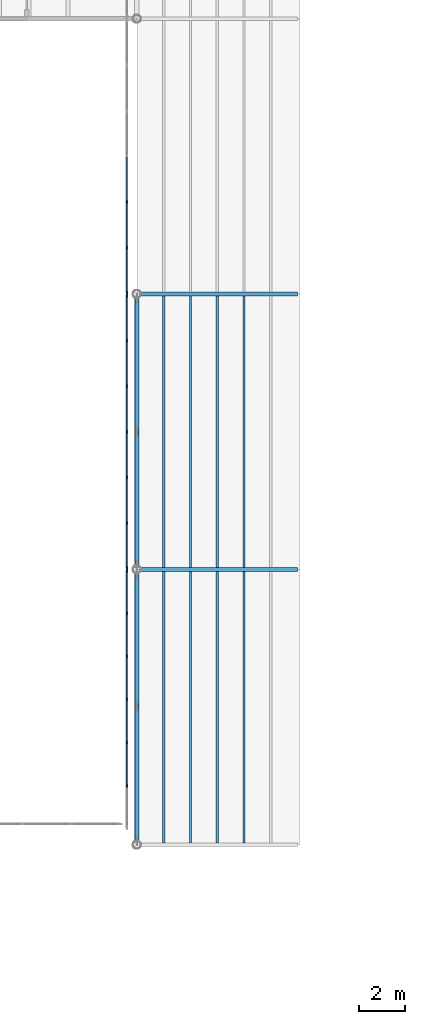
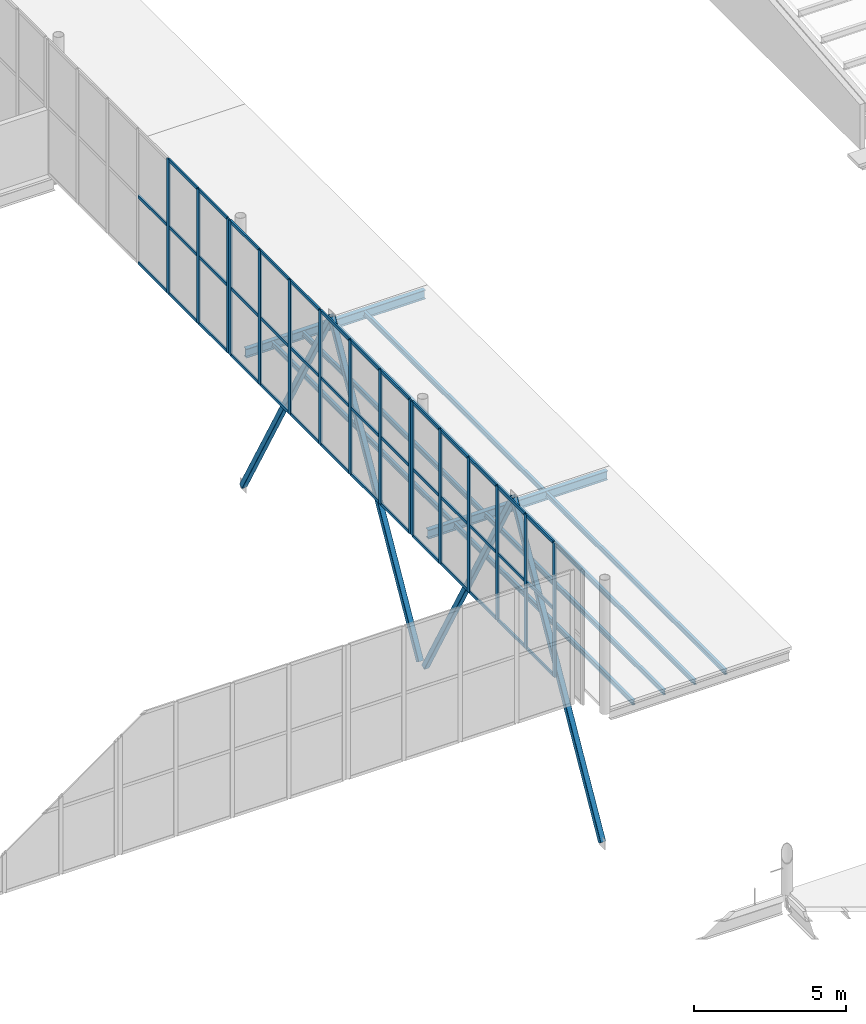
# One storey, part 79 of 170: 69 members, 2 beams, 3 elements without a shape of their own.
"""IFC4 building model written with IfcOpenShell, lengths in metres."""

from ifc_helpers import new_model, si_unit, direction, frame, origin, origin_2d, place, context, subcontext, project, spatial, rectangle, hollow_rectangle, i_section, extrude, material, layer, layer_set, material_profile, profile_set, type_object, element, aggregate, save


model = new_model("IFC4")

# Units and contexts
model_context = context("Model", 3, precision=1e-05, world=origin(), true_north=direction((0.0, 1.0)))
body_context = subcontext(model_context, "Body", "Model", "MODEL_VIEW")
ifc_project = project(units=[si_unit("LENGTHUNIT", "METRE"), si_unit("AREAUNIT", "SQUARE_METRE"), si_unit("VOLUMEUNIT", "CUBIC_METRE"), si_unit("PLANEANGLEUNIT", "RADIAN"), si_unit("MASSUNIT", "GRAM", prefix="KILO")], contexts=[model_context])

# Site, building, storey
site_placement = place(None, origin())
site = spatial("IfcSite", under=ifc_project, at=site_placement, CompositionType="ELEMENT")
building_placement = place(site_placement, origin())
building = spatial("IfcBuilding", under=site, at=building_placement, Name="Ravi Spectrum Wholesale Market", CompositionType="ELEMENT")
storey_placement = place(building_placement, frame((0.0, 0.0, 5.39990234375)))
storey = spatial("IfcBuildingStorey", under=building, at=storey_placement, Name="L01", CompositionType="ELEMENT", Elevation=5.39990234375)

# Members
ifc_material_1 = material(Name="Steel S355", Category="steel")
ifc_material_profile_1 = material_profile(ifc_material_1, i_section(OverallWidth=0.10009765625, OverallDepth=0.199951171875, WebThickness=0.005615234375, FlangeThickness=0.008544921875, at=origin_2d()))
ifc_profile_set_1 = profile_set([ifc_material_profile_1], Name="Steel S355")
member_type_1 = type_object("IfcMemberType", Name="IPE 200 purlin", PredefinedType="PURLIN", material=ifc_profile_set_1)
for number, where, z_axis, x_axis, name in (
    (1, (199.166748046875, 138.0849609375, -0.099853515625), (0.0, 1.0, 0.0), (-1.0, 0.0, 0.0), "H3-MB-L01-009"),
    (2, (200.333251953125, 138.0849609375, -0.099853515625), (0.0, 1.0, 0.0), (-1.0, 0.0, 0.0), "H3-MB-L01-010"),
    (3, (201.5, 138.0849609375, -0.099853515625), (0.0, 1.0, 0.0), (-1.0, 0.0, 0.0), "H3-MB-L01-011"),
    (4, (202.666748046875, 138.0849609375, -0.099853515625), (0.0, 1.0, 0.0), (-1.0, 0.0, 0.0), "H3-MB-L01-012"),
    (5, (199.166748046875, 150.0849609375, -0.099853515625), (0.0, 1.0, 0.0), (-1.0, 0.0, 0.0), "H3-MB-L01-014"),
    (6, (200.333251953125, 150.0849609375, -0.099853515625), (0.0, 1.0, 0.0), (-1.0, 0.0, 0.0), "H3-MB-L01-015"),
    (7, (201.5, 150.0849609375, -0.099853515625), (0.0, 1.0, 0.0), (-1.0, 0.0, 0.0), "H3-MB-L01-016"),
    (8, (202.666748046875, 150.0849609375, -0.099853515625), (0.0, 1.0, 0.0), (-1.0, 0.0, 0.0), "H3-MB-L01-017"),
):
    element("IfcMember", number, at=place(storey_placement, frame(where, z_axis=z_axis, x_axis=x_axis)), inside=storey, type_object=member_type_1, Name=name, PredefinedType="PURLIN", context=body_context, shape_type="SweptSolid", body=[
        extrude(i_section(OverallWidth=0.10009765625, OverallDepth=0.199951171875, WebThickness=0.005615234375, FlangeThickness=0.008544921875, at=origin_2d()), origin(), (0.0, 0.0, 1.0), 11.830078125),
    ])

# Beams
ifc_material_2 = material(Name="Steel S355", Category="steel")
ifc_material_profile_2 = material_profile(ifc_material_2, i_section(OverallWidth=0.169921875, OverallDepth=0.360107421875, WebThickness=0.008056640625, FlangeThickness=0.0126953125, at=origin_2d()))
ifc_profile_set_2 = profile_set([ifc_material_profile_2], Name="Steel S355")
beam_type = type_object("IfcBeamType", Name="IPE 360 beam", PredefinedType="BEAM", material=ifc_profile_set_2)
for number, where, z_axis, x_axis, name in (
    (9, (198.177734375, 150.0, -0.179931640625), (1.0, 0.0, 0.0), (0.0, 1.0, 0.0), "H3-BM-L01-031"),
    (10, (198.177734375, 162.0, -0.179931640625), (1.0, 0.0, 0.0), (0.0, 1.0, 0.0), "H3-BM-L01-032"),
):
    element("IfcBeam", number, at=place(storey_placement, frame(where, z_axis=z_axis, x_axis=x_axis)), inside=storey, type_object=beam_type, Name=name, PredefinedType="BEAM", context=body_context, shape_type="SweptSolid", body=[
        extrude(i_section(OverallWidth=0.169921875, OverallDepth=0.360107421875, WebThickness=0.008056640625, FlangeThickness=0.0126953125, at=origin_2d()), origin(), (0.0, 0.0, 1.0), 6.822265625),
    ])

# Curtain wall, members
ifc_material_3 = material(Name="Aluminium 6063-T6", Category="aluminium")
ifc_layer = layer(ifc_material_3, 0.14990234375)
ifc_layer_set = layer_set([ifc_layer], Name="Aluminium 6063-T6")
curtain_wall_type = type_object("IfcCurtainWallType", Name="Curtain wall 150", PredefinedType="NOTDEFINED", material=ifc_layer_set)
curtain_wall_1_placement = place(storey_placement, origin())
curtain_wall_1 = element("IfcCurtainWall", 11, at=curtain_wall_1_placement, inside=storey, type_object=curtain_wall_type, Name="H3-CW-L01-005", PredefinedType="NOTDEFINED")
ifc_material_4 = material(Name="Aluminium 6063-T6", Category="aluminium")
ifc_material_profile_3 = material_profile(ifc_material_4, rectangle(XDim=0.06005859375, YDim=0.159912109375, at=origin_2d()))
ifc_profile_set_3 = profile_set([ifc_material_profile_3], Name="Aluminium 6063-T6")
member_type_2 = type_object("IfcMemberType", Name="Mullion 60 x 160", PredefinedType="MULLION", material=ifc_profile_set_3)
member_1_placement = place(storey_placement, frame((197.572265625, 140.5849609375, 0.0), z_axis=(0.0, 0.0, 1.0), x_axis=(-1.0, 0.0, 0.0)))
member_1 = element("IfcMember", 12, at=member_1_placement, type_object=member_type_2, Name="H3-CW-L01-005 mullion 2", PredefinedType="MULLION", context=body_context, shape_type="SweptSolid", body=[
    extrude(rectangle(XDim=0.06005859375, YDim=0.159912109375, at=origin_2d()), origin(), (0.0, 0.0, 1.0), 5.400146484375),
])
member_2_placement = place(storey_placement, frame((197.572265625, 142.4599609375, 0.0), z_axis=(0.0, 0.0, 1.0), x_axis=(-1.0, 0.0, 0.0)))
member_2 = element("IfcMember", 13, at=member_2_placement, type_object=member_type_2, Name="H3-CW-L01-005 mullion 3", PredefinedType="MULLION", context=body_context, shape_type="SweptSolid", body=[
    extrude(rectangle(XDim=0.06005859375, YDim=0.159912109375, at=origin_2d()), origin(), (0.0, 0.0, 1.0), 5.400146484375),
])
member_3_placement = place(storey_placement, frame((197.572265625, 144.3349609375, 0.0), z_axis=(0.0, 0.0, 1.0), x_axis=(-1.0, 0.0, 0.0)))
member_3 = element("IfcMember", 14, at=member_3_placement, type_object=member_type_2, Name="H3-CW-L01-005 mullion 4", PredefinedType="MULLION", context=body_context, shape_type="SweptSolid", body=[
    extrude(rectangle(XDim=0.06005859375, YDim=0.159912109375, at=origin_2d()), origin(), (0.0, 0.0, 1.0), 5.400146484375),
])
member_4_placement = place(storey_placement, frame((197.572265625, 146.2099609375, 0.0), z_axis=(0.0, 0.0, 1.0), x_axis=(-1.0, 0.0, 0.0)))
member_4 = element("IfcMember", 15, at=member_4_placement, type_object=member_type_2, Name="H3-CW-L01-005 mullion 5", PredefinedType="MULLION", context=body_context, shape_type="SweptSolid", body=[
    extrude(rectangle(XDim=0.06005859375, YDim=0.159912109375, at=origin_2d()), origin(), (0.0, 0.0, 1.0), 5.400146484375),
])
member_5_placement = place(storey_placement, frame((197.572265625, 148.0849609375, 0.0), z_axis=(0.0, 0.0, 1.0), x_axis=(-1.0, 0.0, 0.0)))
member_5 = element("IfcMember", 16, at=member_5_placement, type_object=member_type_2, Name="H3-CW-L01-005 mullion 6", PredefinedType="MULLION", context=body_context, shape_type="SweptSolid", body=[
    extrude(rectangle(XDim=0.06005859375, YDim=0.159912109375, at=origin_2d()), origin(), (0.0, 0.0, 1.0), 5.400146484375),
])
member_6_placement = place(storey_placement, frame((197.572265625, 149.929931640625, 0.0), z_axis=(0.0, 0.0, 1.0), x_axis=(-1.0, 0.0, 0.0)))
member_6 = element("IfcMember", 17, at=member_6_placement, type_object=member_type_2, Name="H3-CW-L01-005 mullion 7", PredefinedType="MULLION", context=body_context, shape_type="SweptSolid", body=[
    extrude(rectangle(XDim=0.06005859375, YDim=0.159912109375, at=origin_2d()), origin(), (0.0, 0.0, 1.0), 5.400146484375),
])

curtain_wall_2_placement = place(storey_placement, origin())
curtain_wall_2 = element("IfcCurtainWall", 18, at=curtain_wall_2_placement, inside=storey, type_object=curtain_wall_type, Name="H3-CW-L01-006", PredefinedType="NOTDEFINED")
member_7_placement = place(storey_placement, frame((197.572265625, 150.070068359375, 0.0), z_axis=(0.0, 0.0, 1.0), x_axis=(-1.0, 0.0, 0.0)))
member_7 = element("IfcMember", 19, at=member_7_placement, type_object=member_type_2, Name="H3-CW-L01-006 mullion 1", PredefinedType="MULLION", context=body_context, shape_type="SweptSolid", body=[
    extrude(rectangle(XDim=0.06005859375, YDim=0.159912109375, at=origin_2d()), origin(), (0.0, 0.0, 1.0), 5.400146484375),
])
member_8_placement = place(storey_placement, frame((197.572265625, 152.026611328125, 0.0), z_axis=(0.0, 0.0, 1.0), x_axis=(-1.0, 0.0, 0.0)))
member_8 = element("IfcMember", 20, at=member_8_placement, type_object=member_type_2, Name="H3-CW-L01-006 mullion 2", PredefinedType="MULLION", context=body_context, shape_type="SweptSolid", body=[
    extrude(rectangle(XDim=0.06005859375, YDim=0.159912109375, at=origin_2d()), origin(), (0.0, 0.0, 1.0), 5.400146484375),
])
member_9_placement = place(storey_placement, frame((197.572265625, 154.013427734375, 0.0), z_axis=(0.0, 0.0, 1.0), x_axis=(-1.0, 0.0, 0.0)))
member_9 = element("IfcMember", 21, at=member_9_placement, type_object=member_type_2, Name="H3-CW-L01-006 mullion 3", PredefinedType="MULLION", context=body_context, shape_type="SweptSolid", body=[
    extrude(rectangle(XDim=0.06005859375, YDim=0.159912109375, at=origin_2d()), origin(), (0.0, 0.0, 1.0), 5.400146484375),
])
member_10_placement = place(storey_placement, frame((197.572265625, 156.0, 0.0), z_axis=(0.0, 0.0, 1.0), x_axis=(-1.0, 0.0, 0.0)))
member_10 = element("IfcMember", 22, at=member_10_placement, type_object=member_type_2, Name="H3-CW-L01-006 mullion 4", PredefinedType="MULLION", context=body_context, shape_type="SweptSolid", body=[
    extrude(rectangle(XDim=0.06005859375, YDim=0.159912109375, at=origin_2d()), origin(), (0.0, 0.0, 1.0), 5.400146484375),
])
member_11_placement = place(storey_placement, frame((197.572265625, 157.986572265625, 0.0), z_axis=(0.0, 0.0, 1.0), x_axis=(-1.0, 0.0, 0.0)))
member_11 = element("IfcMember", 23, at=member_11_placement, type_object=member_type_2, Name="H3-CW-L01-006 mullion 5", PredefinedType="MULLION", context=body_context, shape_type="SweptSolid", body=[
    extrude(rectangle(XDim=0.06005859375, YDim=0.159912109375, at=origin_2d()), origin(), (0.0, 0.0, 1.0), 5.400146484375),
])
member_12_placement = place(storey_placement, frame((197.572265625, 159.973388671875, 0.0), z_axis=(0.0, 0.0, 1.0), x_axis=(-1.0, 0.0, 0.0)))
member_12 = element("IfcMember", 24, at=member_12_placement, type_object=member_type_2, Name="H3-CW-L01-006 mullion 6", PredefinedType="MULLION", context=body_context, shape_type="SweptSolid", body=[
    extrude(rectangle(XDim=0.06005859375, YDim=0.159912109375, at=origin_2d()), origin(), (0.0, 0.0, 1.0), 5.400146484375),
])
member_13_placement = place(storey_placement, frame((197.572265625, 161.929931640625, 0.0), z_axis=(0.0, 0.0, 1.0), x_axis=(-1.0, 0.0, 0.0)))
member_13 = element("IfcMember", 25, at=member_13_placement, type_object=member_type_2, Name="H3-CW-L01-006 mullion 7", PredefinedType="MULLION", context=body_context, shape_type="SweptSolid", body=[
    extrude(rectangle(XDim=0.06005859375, YDim=0.159912109375, at=origin_2d()), origin(), (0.0, 0.0, 1.0), 5.400146484375),
])

curtain_wall_3_placement = place(storey_placement, origin())
curtain_wall_3 = element("IfcCurtainWall", 26, at=curtain_wall_3_placement, inside=storey, type_object=curtain_wall_type, Name="H3-CW-L01-007", PredefinedType="NOTDEFINED")
member_14_placement = place(storey_placement, frame((197.572265625, 162.070068359375, 0.0), z_axis=(0.0, 0.0, 1.0), x_axis=(-1.0, 0.0, 0.0)))
member_14 = element("IfcMember", 27, at=member_14_placement, type_object=member_type_2, Name="H3-CW-L01-007 mullion 1", PredefinedType="MULLION", context=body_context, shape_type="SweptSolid", body=[
    extrude(rectangle(XDim=0.06005859375, YDim=0.159912109375, at=origin_2d()), origin(), (0.0, 0.0, 1.0), 5.400146484375),
])
member_15_placement = place(storey_placement, frame((197.572265625, 164.026611328125, 0.0), z_axis=(0.0, 0.0, 1.0), x_axis=(-1.0, 0.0, 0.0)))
member_15 = element("IfcMember", 28, at=member_15_placement, type_object=member_type_2, Name="H3-CW-L01-007 mullion 2", PredefinedType="MULLION", context=body_context, shape_type="SweptSolid", body=[
    extrude(rectangle(XDim=0.06005859375, YDim=0.159912109375, at=origin_2d()), origin(), (0.0, 0.0, 1.0), 5.400146484375),
])
member_16_placement = place(storey_placement, frame((197.572265625, 166.013427734375, 0.0), z_axis=(0.0, 0.0, 1.0), x_axis=(-1.0, 0.0, 0.0)))
member_16 = element("IfcMember", 29, at=member_16_placement, type_object=member_type_2, Name="H3-CW-L01-007 mullion 3", PredefinedType="MULLION", context=body_context, shape_type="SweptSolid", body=[
    extrude(rectangle(XDim=0.06005859375, YDim=0.159912109375, at=origin_2d()), origin(), (0.0, 0.0, 1.0), 5.400146484375),
])

# Members
ifc_material_5 = material(Name="Steel S355", Category="steel")
ifc_material_profile_4 = material_profile(ifc_material_5, hollow_rectangle(XDim=0.199951171875, YDim=0.199951171875, WallThickness=0.008056640625, InnerFilletRadius=0.008056640625, OuterFilletRadius=0.01611328125, at=origin_2d()))
ifc_profile_set_4 = profile_set([ifc_material_profile_4], Name="Steel S355")
member_type_3 = type_object("IfcMemberType", Name="SHS 200x200x8 brace", PredefinedType="BRACE", material=ifc_profile_set_4)
for number, where, z_axis, x_axis, name in (
    (30, (198.0, 138.177734375, -5.3505859375), (0.0, 0.491162536596, 0.871067943759), (-1.0, 0.0, 0.0), "H3-MB-L01-005"),
    (31, (198.0, 149.822265625, -5.3505859375), (0.0, -0.491162536596, 0.871067943759), (1.0, 0.0, 0.0), "H3-MB-L01-006"),
    (32, (198.0, 150.177734375, -5.3505859375), (0.0, 0.491162536596, 0.871067943759), (-1.0, 0.0, 0.0), "H3-MB-L01-007"),
    (33, (198.0, 161.822265625, -5.3505859375), (0.0, -0.491162536596, 0.871067943759), (1.0, 0.0, 0.0), "H3-MB-L01-008"),
):
    element("IfcMember", number, at=place(storey_placement, frame(where, z_axis=z_axis, x_axis=x_axis)), inside=storey, type_object=member_type_3, Name=name, PredefinedType="BRACE", context=body_context, shape_type="SweptSolid", body=[
        extrude(hollow_rectangle(XDim=0.199951171875, YDim=0.199951171875, WallThickness=0.008056640625, InnerFilletRadius=0.008056640625, OuterFilletRadius=0.01611328125, at=origin_2d()), origin(), (0.0, 0.0, 1.0), 11.85400390625),
    ])

# Member
ifc_material_6 = material(Name="Aluminium 6063-T6", Category="aluminium")
ifc_material_profile_5 = material_profile(ifc_material_6, rectangle(XDim=0.06005859375, YDim=0.1201171875, at=origin_2d()))
ifc_profile_set_5 = profile_set([ifc_material_profile_5], Name="Aluminium 6063-T6")
member_type_4 = type_object("IfcMemberType", Name="Transom 60 x 120", PredefinedType="USERDEFINED", material=ifc_profile_set_5)
member_17_placement = place(storey_placement, frame((197.572265625, 140.614990234375, 0.030029296875), z_axis=(0.0, 1.0, 0.0), x_axis=(-1.0, 0.0, 0.0)))
member_17 = element("IfcMember", 34, at=member_17_placement, type_object=member_type_4, Name="H3-CW-L01-005 transom 2.1", ObjectType="TRANSOM", PredefinedType="USERDEFINED", context=body_context, shape_type="SweptSolid", body=[
    extrude(rectangle(XDim=0.06005859375, YDim=0.1201171875, at=origin_2d()), origin(), (0.0, 0.0, 1.0), 1.81494140625),
])

member_18_placement = place(storey_placement, frame((197.572265625, 140.614990234375, 2.7001953125), z_axis=(0.0, 1.0, 0.0), x_axis=(-1.0, 0.0, 0.0)))
member_18 = element("IfcMember", 35, at=member_18_placement, type_object=member_type_4, Name="H3-CW-L01-005 transom 2.2", ObjectType="TRANSOM", PredefinedType="USERDEFINED", context=body_context, shape_type="SweptSolid", body=[
    extrude(rectangle(XDim=0.06005859375, YDim=0.1201171875, at=origin_2d()), origin(), (0.0, 0.0, 1.0), 1.81494140625),
])

member_19_placement = place(storey_placement, frame((197.572265625, 140.614990234375, 5.3701171875), z_axis=(0.0, 1.0, 0.0), x_axis=(-1.0, 0.0, 0.0)))
member_19 = element("IfcMember", 36, at=member_19_placement, type_object=member_type_4, Name="H3-CW-L01-005 transom 2.3", ObjectType="TRANSOM", PredefinedType="USERDEFINED", context=body_context, shape_type="SweptSolid", body=[
    extrude(rectangle(XDim=0.06005859375, YDim=0.1201171875, at=origin_2d()), origin(), (0.0, 0.0, 1.0), 1.81494140625),
])

member_20_placement = place(storey_placement, frame((197.572265625, 142.489990234375, 0.030029296875), z_axis=(0.0, 1.0, 0.0), x_axis=(-1.0, 0.0, 0.0)))
member_20 = element("IfcMember", 37, at=member_20_placement, type_object=member_type_4, Name="H3-CW-L01-005 transom 3.1", ObjectType="TRANSOM", PredefinedType="USERDEFINED", context=body_context, shape_type="SweptSolid", body=[
    extrude(rectangle(XDim=0.06005859375, YDim=0.1201171875, at=origin_2d()), origin(), (0.0, 0.0, 1.0), 1.81494140625),
])

member_21_placement = place(storey_placement, frame((197.572265625, 142.489990234375, 2.7001953125), z_axis=(0.0, 1.0, 0.0), x_axis=(-1.0, 0.0, 0.0)))
member_21 = element("IfcMember", 38, at=member_21_placement, type_object=member_type_4, Name="H3-CW-L01-005 transom 3.2", ObjectType="TRANSOM", PredefinedType="USERDEFINED", context=body_context, shape_type="SweptSolid", body=[
    extrude(rectangle(XDim=0.06005859375, YDim=0.1201171875, at=origin_2d()), origin(), (0.0, 0.0, 1.0), 1.81494140625),
])

member_22_placement = place(storey_placement, frame((197.572265625, 142.489990234375, 5.3701171875), z_axis=(0.0, 1.0, 0.0), x_axis=(-1.0, 0.0, 0.0)))
member_22 = element("IfcMember", 39, at=member_22_placement, type_object=member_type_4, Name="H3-CW-L01-005 transom 3.3", ObjectType="TRANSOM", PredefinedType="USERDEFINED", context=body_context, shape_type="SweptSolid", body=[
    extrude(rectangle(XDim=0.06005859375, YDim=0.1201171875, at=origin_2d()), origin(), (0.0, 0.0, 1.0), 1.81494140625),
])

member_23_placement = place(storey_placement, frame((197.572265625, 144.364990234375, 0.030029296875), z_axis=(0.0, 1.0, 0.0), x_axis=(-1.0, 0.0, 0.0)))
member_23 = element("IfcMember", 40, at=member_23_placement, type_object=member_type_4, Name="H3-CW-L01-005 transom 4.1", ObjectType="TRANSOM", PredefinedType="USERDEFINED", context=body_context, shape_type="SweptSolid", body=[
    extrude(rectangle(XDim=0.06005859375, YDim=0.1201171875, at=origin_2d()), origin(), (0.0, 0.0, 1.0), 1.81494140625),
])

member_24_placement = place(storey_placement, frame((197.572265625, 144.364990234375, 2.7001953125), z_axis=(0.0, 1.0, 0.0), x_axis=(-1.0, 0.0, 0.0)))
member_24 = element("IfcMember", 41, at=member_24_placement, type_object=member_type_4, Name="H3-CW-L01-005 transom 4.2", ObjectType="TRANSOM", PredefinedType="USERDEFINED", context=body_context, shape_type="SweptSolid", body=[
    extrude(rectangle(XDim=0.06005859375, YDim=0.1201171875, at=origin_2d()), origin(), (0.0, 0.0, 1.0), 1.81494140625),
])

member_25_placement = place(storey_placement, frame((197.572265625, 144.364990234375, 5.3701171875), z_axis=(0.0, 1.0, 0.0), x_axis=(-1.0, 0.0, 0.0)))
member_25 = element("IfcMember", 42, at=member_25_placement, type_object=member_type_4, Name="H3-CW-L01-005 transom 4.3", ObjectType="TRANSOM", PredefinedType="USERDEFINED", context=body_context, shape_type="SweptSolid", body=[
    extrude(rectangle(XDim=0.06005859375, YDim=0.1201171875, at=origin_2d()), origin(), (0.0, 0.0, 1.0), 1.81494140625),
])

member_26_placement = place(storey_placement, frame((197.572265625, 146.239990234375, 0.030029296875), z_axis=(0.0, 1.0, 0.0), x_axis=(-1.0, 0.0, 0.0)))
member_26 = element("IfcMember", 43, at=member_26_placement, type_object=member_type_4, Name="H3-CW-L01-005 transom 5.1", ObjectType="TRANSOM", PredefinedType="USERDEFINED", context=body_context, shape_type="SweptSolid", body=[
    extrude(rectangle(XDim=0.06005859375, YDim=0.1201171875, at=origin_2d()), origin(), (0.0, 0.0, 1.0), 1.81494140625),
])

member_27_placement = place(storey_placement, frame((197.572265625, 146.239990234375, 2.7001953125), z_axis=(0.0, 1.0, 0.0), x_axis=(-1.0, 0.0, 0.0)))
member_27 = element("IfcMember", 44, at=member_27_placement, type_object=member_type_4, Name="H3-CW-L01-005 transom 5.2", ObjectType="TRANSOM", PredefinedType="USERDEFINED", context=body_context, shape_type="SweptSolid", body=[
    extrude(rectangle(XDim=0.06005859375, YDim=0.1201171875, at=origin_2d()), origin(), (0.0, 0.0, 1.0), 1.81494140625),
])

member_28_placement = place(storey_placement, frame((197.572265625, 146.239990234375, 5.3701171875), z_axis=(0.0, 1.0, 0.0), x_axis=(-1.0, 0.0, 0.0)))
member_28 = element("IfcMember", 45, at=member_28_placement, type_object=member_type_4, Name="H3-CW-L01-005 transom 5.3", ObjectType="TRANSOM", PredefinedType="USERDEFINED", context=body_context, shape_type="SweptSolid", body=[
    extrude(rectangle(XDim=0.06005859375, YDim=0.1201171875, at=origin_2d()), origin(), (0.0, 0.0, 1.0), 1.81494140625),
])

member_29_placement = place(storey_placement, frame((197.572265625, 148.114990234375, 0.030029296875), z_axis=(0.0, 1.0, 0.0), x_axis=(-1.0, 0.0, 0.0)))
member_29 = element("IfcMember", 46, at=member_29_placement, type_object=member_type_4, Name="H3-CW-L01-005 transom 6.1", ObjectType="TRANSOM", PredefinedType="USERDEFINED", context=body_context, shape_type="SweptSolid", body=[
    extrude(rectangle(XDim=0.06005859375, YDim=0.1201171875, at=origin_2d()), origin(), (0.0, 0.0, 1.0), 1.784912109375),
])

member_30_placement = place(storey_placement, frame((197.572265625, 148.114990234375, 2.7001953125), z_axis=(0.0, 1.0, 0.0), x_axis=(-1.0, 0.0, 0.0)))
member_30 = element("IfcMember", 47, at=member_30_placement, type_object=member_type_4, Name="H3-CW-L01-005 transom 6.2", ObjectType="TRANSOM", PredefinedType="USERDEFINED", context=body_context, shape_type="SweptSolid", body=[
    extrude(rectangle(XDim=0.06005859375, YDim=0.1201171875, at=origin_2d()), origin(), (0.0, 0.0, 1.0), 1.784912109375),
])

member_31_placement = place(storey_placement, frame((197.572265625, 148.114990234375, 5.3701171875), z_axis=(0.0, 1.0, 0.0), x_axis=(-1.0, 0.0, 0.0)))
member_31 = element("IfcMember", 48, at=member_31_placement, type_object=member_type_4, Name="H3-CW-L01-005 transom 6.3", ObjectType="TRANSOM", PredefinedType="USERDEFINED", context=body_context, shape_type="SweptSolid", body=[
    extrude(rectangle(XDim=0.06005859375, YDim=0.1201171875, at=origin_2d()), origin(), (0.0, 0.0, 1.0), 1.784912109375),
])

aggregate(curtain_wall_1, [member_1, member_2, member_3, member_4, member_5, member_6, member_17, member_18, member_19, member_20, member_21, member_22, member_23, member_24, member_25, member_26, member_27, member_28, member_29, member_30, member_31])

member_32_placement = place(storey_placement, frame((197.572265625, 150.10009765625, 0.030029296875), z_axis=(0.0, 1.0, 0.0), x_axis=(-1.0, 0.0, 0.0)))
member_32 = element("IfcMember", 49, at=member_32_placement, type_object=member_type_4, Name="H3-CW-L01-006 transom 1.1", ObjectType="TRANSOM", PredefinedType="USERDEFINED", context=body_context, shape_type="SweptSolid", body=[
    extrude(rectangle(XDim=0.06005859375, YDim=0.1201171875, at=origin_2d()), origin(), (0.0, 0.0, 1.0), 1.896484375),
])

member_33_placement = place(storey_placement, frame((197.572265625, 150.10009765625, 2.7001953125), z_axis=(0.0, 1.0, 0.0), x_axis=(-1.0, 0.0, 0.0)))
member_33 = element("IfcMember", 50, at=member_33_placement, type_object=member_type_4, Name="H3-CW-L01-006 transom 1.2", ObjectType="TRANSOM", PredefinedType="USERDEFINED", context=body_context, shape_type="SweptSolid", body=[
    extrude(rectangle(XDim=0.06005859375, YDim=0.1201171875, at=origin_2d()), origin(), (0.0, 0.0, 1.0), 1.896484375),
])

member_34_placement = place(storey_placement, frame((197.572265625, 150.10009765625, 5.3701171875), z_axis=(0.0, 1.0, 0.0), x_axis=(-1.0, 0.0, 0.0)))
member_34 = element("IfcMember", 51, at=member_34_placement, type_object=member_type_4, Name="H3-CW-L01-006 transom 1.3", ObjectType="TRANSOM", PredefinedType="USERDEFINED", context=body_context, shape_type="SweptSolid", body=[
    extrude(rectangle(XDim=0.06005859375, YDim=0.1201171875, at=origin_2d()), origin(), (0.0, 0.0, 1.0), 1.896484375),
])

member_35_placement = place(storey_placement, frame((197.572265625, 152.056640625, 0.030029296875), z_axis=(0.0, 1.0, 0.0), x_axis=(-1.0, 0.0, 0.0)))
member_35 = element("IfcMember", 52, at=member_35_placement, type_object=member_type_4, Name="H3-CW-L01-006 transom 2.1", ObjectType="TRANSOM", PredefinedType="USERDEFINED", context=body_context, shape_type="SweptSolid", body=[
    extrude(rectangle(XDim=0.06005859375, YDim=0.1201171875, at=origin_2d()), origin(), (0.0, 0.0, 1.0), 1.9267578125),
])

member_36_placement = place(storey_placement, frame((197.572265625, 152.056640625, 2.7001953125), z_axis=(0.0, 1.0, 0.0), x_axis=(-1.0, 0.0, 0.0)))
member_36 = element("IfcMember", 53, at=member_36_placement, type_object=member_type_4, Name="H3-CW-L01-006 transom 2.2", ObjectType="TRANSOM", PredefinedType="USERDEFINED", context=body_context, shape_type="SweptSolid", body=[
    extrude(rectangle(XDim=0.06005859375, YDim=0.1201171875, at=origin_2d()), origin(), (0.0, 0.0, 1.0), 1.9267578125),
])

member_37_placement = place(storey_placement, frame((197.572265625, 152.056640625, 5.3701171875), z_axis=(0.0, 1.0, 0.0), x_axis=(-1.0, 0.0, 0.0)))
member_37 = element("IfcMember", 54, at=member_37_placement, type_object=member_type_4, Name="H3-CW-L01-006 transom 2.3", ObjectType="TRANSOM", PredefinedType="USERDEFINED", context=body_context, shape_type="SweptSolid", body=[
    extrude(rectangle(XDim=0.06005859375, YDim=0.1201171875, at=origin_2d()), origin(), (0.0, 0.0, 1.0), 1.9267578125),
])

member_38_placement = place(storey_placement, frame((197.572265625, 154.043212890625, 0.030029296875), z_axis=(0.0, 1.0, 0.0), x_axis=(-1.0, 0.0, 0.0)))
member_38 = element("IfcMember", 55, at=member_38_placement, type_object=member_type_4, Name="H3-CW-L01-006 transom 3.1", ObjectType="TRANSOM", PredefinedType="USERDEFINED", context=body_context, shape_type="SweptSolid", body=[
    extrude(rectangle(XDim=0.06005859375, YDim=0.1201171875, at=origin_2d()), origin(), (0.0, 0.0, 1.0), 1.9267578125),
])

member_39_placement = place(storey_placement, frame((197.572265625, 154.043212890625, 2.7001953125), z_axis=(0.0, 1.0, 0.0), x_axis=(-1.0, 0.0, 0.0)))
member_39 = element("IfcMember", 56, at=member_39_placement, type_object=member_type_4, Name="H3-CW-L01-006 transom 3.2", ObjectType="TRANSOM", PredefinedType="USERDEFINED", context=body_context, shape_type="SweptSolid", body=[
    extrude(rectangle(XDim=0.06005859375, YDim=0.1201171875, at=origin_2d()), origin(), (0.0, 0.0, 1.0), 1.9267578125),
])

member_40_placement = place(storey_placement, frame((197.572265625, 154.043212890625, 5.3701171875), z_axis=(0.0, 1.0, 0.0), x_axis=(-1.0, 0.0, 0.0)))
member_40 = element("IfcMember", 57, at=member_40_placement, type_object=member_type_4, Name="H3-CW-L01-006 transom 3.3", ObjectType="TRANSOM", PredefinedType="USERDEFINED", context=body_context, shape_type="SweptSolid", body=[
    extrude(rectangle(XDim=0.06005859375, YDim=0.1201171875, at=origin_2d()), origin(), (0.0, 0.0, 1.0), 1.9267578125),
])

member_41_placement = place(storey_placement, frame((197.572265625, 156.030029296875, 0.030029296875), z_axis=(0.0, 1.0, 0.0), x_axis=(-1.0, 0.0, 0.0)))
member_41 = element("IfcMember", 58, at=member_41_placement, type_object=member_type_4, Name="H3-CW-L01-006 transom 4.1", ObjectType="TRANSOM", PredefinedType="USERDEFINED", context=body_context, shape_type="SweptSolid", body=[
    extrude(rectangle(XDim=0.06005859375, YDim=0.1201171875, at=origin_2d()), origin(), (0.0, 0.0, 1.0), 1.9267578125),
])

member_42_placement = place(storey_placement, frame((197.572265625, 156.030029296875, 2.7001953125), z_axis=(0.0, 1.0, 0.0), x_axis=(-1.0, 0.0, 0.0)))
member_42 = element("IfcMember", 59, at=member_42_placement, type_object=member_type_4, Name="H3-CW-L01-006 transom 4.2", ObjectType="TRANSOM", PredefinedType="USERDEFINED", context=body_context, shape_type="SweptSolid", body=[
    extrude(rectangle(XDim=0.06005859375, YDim=0.1201171875, at=origin_2d()), origin(), (0.0, 0.0, 1.0), 1.9267578125),
])

member_43_placement = place(storey_placement, frame((197.572265625, 156.030029296875, 5.3701171875), z_axis=(0.0, 1.0, 0.0), x_axis=(-1.0, 0.0, 0.0)))
member_43 = element("IfcMember", 60, at=member_43_placement, type_object=member_type_4, Name="H3-CW-L01-006 transom 4.3", ObjectType="TRANSOM", PredefinedType="USERDEFINED", context=body_context, shape_type="SweptSolid", body=[
    extrude(rectangle(XDim=0.06005859375, YDim=0.1201171875, at=origin_2d()), origin(), (0.0, 0.0, 1.0), 1.9267578125),
])

member_44_placement = place(storey_placement, frame((197.572265625, 158.0166015625, 0.030029296875), z_axis=(0.0, 1.0, 0.0), x_axis=(-1.0, 0.0, 0.0)))
member_44 = element("IfcMember", 61, at=member_44_placement, type_object=member_type_4, Name="H3-CW-L01-006 transom 5.1", ObjectType="TRANSOM", PredefinedType="USERDEFINED", context=body_context, shape_type="SweptSolid", body=[
    extrude(rectangle(XDim=0.06005859375, YDim=0.1201171875, at=origin_2d()), origin(), (0.0, 0.0, 1.0), 1.9267578125),
])

member_45_placement = place(storey_placement, frame((197.572265625, 158.0166015625, 2.7001953125), z_axis=(0.0, 1.0, 0.0), x_axis=(-1.0, 0.0, 0.0)))
member_45 = element("IfcMember", 62, at=member_45_placement, type_object=member_type_4, Name="H3-CW-L01-006 transom 5.2", ObjectType="TRANSOM", PredefinedType="USERDEFINED", context=body_context, shape_type="SweptSolid", body=[
    extrude(rectangle(XDim=0.06005859375, YDim=0.1201171875, at=origin_2d()), origin(), (0.0, 0.0, 1.0), 1.9267578125),
])

member_46_placement = place(storey_placement, frame((197.572265625, 158.0166015625, 5.3701171875), z_axis=(0.0, 1.0, 0.0), x_axis=(-1.0, 0.0, 0.0)))
member_46 = element("IfcMember", 63, at=member_46_placement, type_object=member_type_4, Name="H3-CW-L01-006 transom 5.3", ObjectType="TRANSOM", PredefinedType="USERDEFINED", context=body_context, shape_type="SweptSolid", body=[
    extrude(rectangle(XDim=0.06005859375, YDim=0.1201171875, at=origin_2d()), origin(), (0.0, 0.0, 1.0), 1.9267578125),
])

member_47_placement = place(storey_placement, frame((197.572265625, 160.00341796875, 0.030029296875), z_axis=(0.0, 1.0, 0.0), x_axis=(-1.0, 0.0, 0.0)))
member_47 = element("IfcMember", 64, at=member_47_placement, type_object=member_type_4, Name="H3-CW-L01-006 transom 6.1", ObjectType="TRANSOM", PredefinedType="USERDEFINED", context=body_context, shape_type="SweptSolid", body=[
    extrude(rectangle(XDim=0.06005859375, YDim=0.1201171875, at=origin_2d()), origin(), (0.0, 0.0, 1.0), 1.896484375),
])

member_48_placement = place(storey_placement, frame((197.572265625, 160.00341796875, 2.7001953125), z_axis=(0.0, 1.0, 0.0), x_axis=(-1.0, 0.0, 0.0)))
member_48 = element("IfcMember", 65, at=member_48_placement, type_object=member_type_4, Name="H3-CW-L01-006 transom 6.2", ObjectType="TRANSOM", PredefinedType="USERDEFINED", context=body_context, shape_type="SweptSolid", body=[
    extrude(rectangle(XDim=0.06005859375, YDim=0.1201171875, at=origin_2d()), origin(), (0.0, 0.0, 1.0), 1.896484375),
])

member_49_placement = place(storey_placement, frame((197.572265625, 160.00341796875, 5.3701171875), z_axis=(0.0, 1.0, 0.0), x_axis=(-1.0, 0.0, 0.0)))
member_49 = element("IfcMember", 66, at=member_49_placement, type_object=member_type_4, Name="H3-CW-L01-006 transom 6.3", ObjectType="TRANSOM", PredefinedType="USERDEFINED", context=body_context, shape_type="SweptSolid", body=[
    extrude(rectangle(XDim=0.06005859375, YDim=0.1201171875, at=origin_2d()), origin(), (0.0, 0.0, 1.0), 1.896484375),
])

aggregate(curtain_wall_2, [member_7, member_8, member_9, member_10, member_11, member_12, member_13, member_32, member_33, member_34, member_35, member_36, member_37, member_38, member_39, member_40, member_41, member_42, member_43, member_44, member_45, member_46, member_47, member_48, member_49])

member_50_placement = place(storey_placement, frame((197.572265625, 162.10009765625, 0.030029296875), z_axis=(0.0, 1.0, 0.0), x_axis=(-1.0, 0.0, 0.0)))
member_50 = element("IfcMember", 67, at=member_50_placement, type_object=member_type_4, Name="H3-CW-L01-007 transom 1.1", ObjectType="TRANSOM", PredefinedType="USERDEFINED", context=body_context, shape_type="SweptSolid", body=[
    extrude(rectangle(XDim=0.06005859375, YDim=0.1201171875, at=origin_2d()), origin(), (0.0, 0.0, 1.0), 1.896484375),
])

member_51_placement = place(storey_placement, frame((197.572265625, 162.10009765625, 2.7001953125), z_axis=(0.0, 1.0, 0.0), x_axis=(-1.0, 0.0, 0.0)))
member_51 = element("IfcMember", 68, at=member_51_placement, type_object=member_type_4, Name="H3-CW-L01-007 transom 1.2", ObjectType="TRANSOM", PredefinedType="USERDEFINED", context=body_context, shape_type="SweptSolid", body=[
    extrude(rectangle(XDim=0.06005859375, YDim=0.1201171875, at=origin_2d()), origin(), (0.0, 0.0, 1.0), 1.896484375),
])

member_52_placement = place(storey_placement, frame((197.572265625, 162.10009765625, 5.3701171875), z_axis=(0.0, 1.0, 0.0), x_axis=(-1.0, 0.0, 0.0)))
member_52 = element("IfcMember", 69, at=member_52_placement, type_object=member_type_4, Name="H3-CW-L01-007 transom 1.3", ObjectType="TRANSOM", PredefinedType="USERDEFINED", context=body_context, shape_type="SweptSolid", body=[
    extrude(rectangle(XDim=0.06005859375, YDim=0.1201171875, at=origin_2d()), origin(), (0.0, 0.0, 1.0), 1.896484375),
])

member_53_placement = place(storey_placement, frame((197.572265625, 164.056640625, 0.030029296875), z_axis=(0.0, 1.0, 0.0), x_axis=(-1.0, 0.0, 0.0)))
member_53 = element("IfcMember", 70, at=member_53_placement, type_object=member_type_4, Name="H3-CW-L01-007 transom 2.1", ObjectType="TRANSOM", PredefinedType="USERDEFINED", context=body_context, shape_type="SweptSolid", body=[
    extrude(rectangle(XDim=0.06005859375, YDim=0.1201171875, at=origin_2d()), origin(), (0.0, 0.0, 1.0), 1.9267578125),
])

member_54_placement = place(storey_placement, frame((197.572265625, 164.056640625, 2.7001953125), z_axis=(0.0, 1.0, 0.0), x_axis=(-1.0, 0.0, 0.0)))
member_54 = element("IfcMember", 71, at=member_54_placement, type_object=member_type_4, Name="H3-CW-L01-007 transom 2.2", ObjectType="TRANSOM", PredefinedType="USERDEFINED", context=body_context, shape_type="SweptSolid", body=[
    extrude(rectangle(XDim=0.06005859375, YDim=0.1201171875, at=origin_2d()), origin(), (0.0, 0.0, 1.0), 1.9267578125),
])

member_55_placement = place(storey_placement, frame((197.572265625, 164.056640625, 5.3701171875), z_axis=(0.0, 1.0, 0.0), x_axis=(-1.0, 0.0, 0.0)))
member_55 = element("IfcMember", 72, at=member_55_placement, type_object=member_type_4, Name="H3-CW-L01-007 transom 2.3", ObjectType="TRANSOM", PredefinedType="USERDEFINED", context=body_context, shape_type="SweptSolid", body=[
    extrude(rectangle(XDim=0.06005859375, YDim=0.1201171875, at=origin_2d()), origin(), (0.0, 0.0, 1.0), 1.9267578125),
])

member_56_placement = place(storey_placement, frame((197.572265625, 166.043212890625, 0.030029296875), z_axis=(0.0, 1.0, 0.0), x_axis=(-1.0, 0.0, 0.0)))
member_56 = element("IfcMember", 73, at=member_56_placement, type_object=member_type_4, Name="H3-CW-L01-007 transom 3.1", ObjectType="TRANSOM", PredefinedType="USERDEFINED", context=body_context, shape_type="SweptSolid", body=[
    extrude(rectangle(XDim=0.06005859375, YDim=0.1201171875, at=origin_2d()), origin(), (0.0, 0.0, 1.0), 1.9267578125),
])

member_57_placement = place(storey_placement, frame((197.572265625, 166.043212890625, 2.7001953125), z_axis=(0.0, 1.0, 0.0), x_axis=(-1.0, 0.0, 0.0)))
member_57 = element("IfcMember", 74, at=member_57_placement, type_object=member_type_4, Name="H3-CW-L01-007 transom 3.2", ObjectType="TRANSOM", PredefinedType="USERDEFINED", context=body_context, shape_type="SweptSolid", body=[
    extrude(rectangle(XDim=0.06005859375, YDim=0.1201171875, at=origin_2d()), origin(), (0.0, 0.0, 1.0), 1.9267578125),
])

aggregate(curtain_wall_3, [member_14, member_15, member_16, member_50, member_51, member_52, member_53, member_54, member_55, member_56, member_57])

save(model, "model.ifc")
